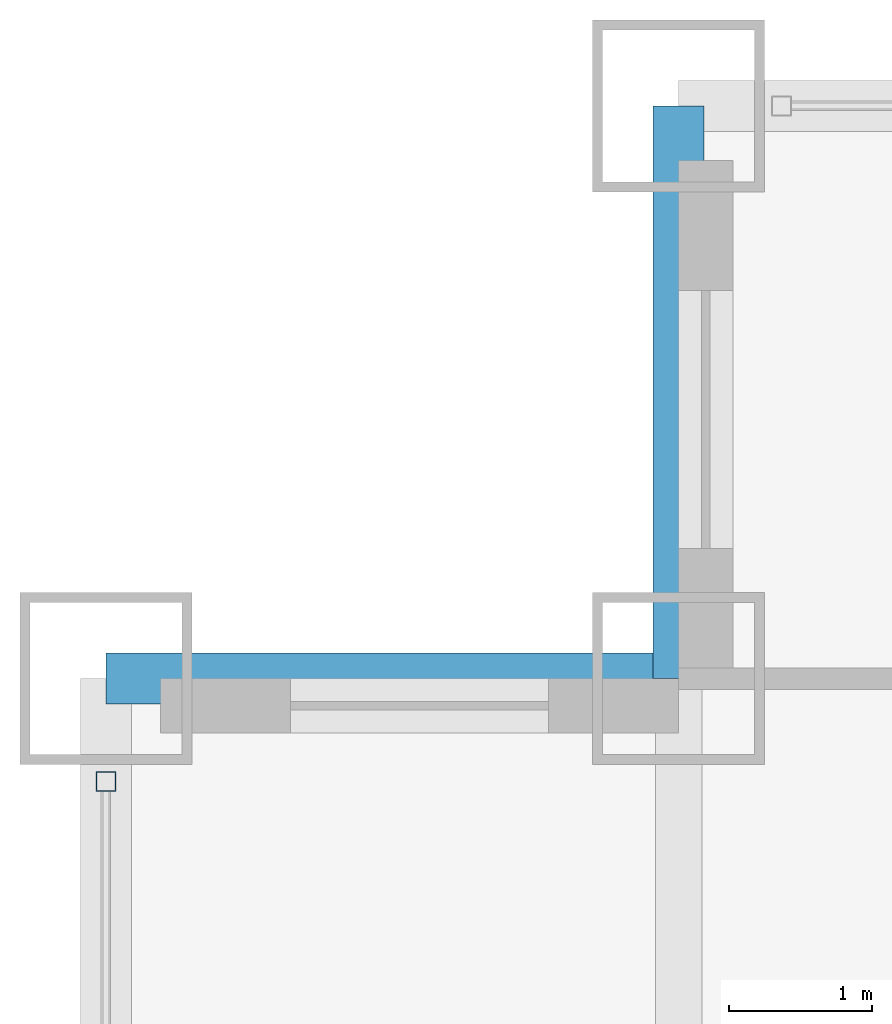
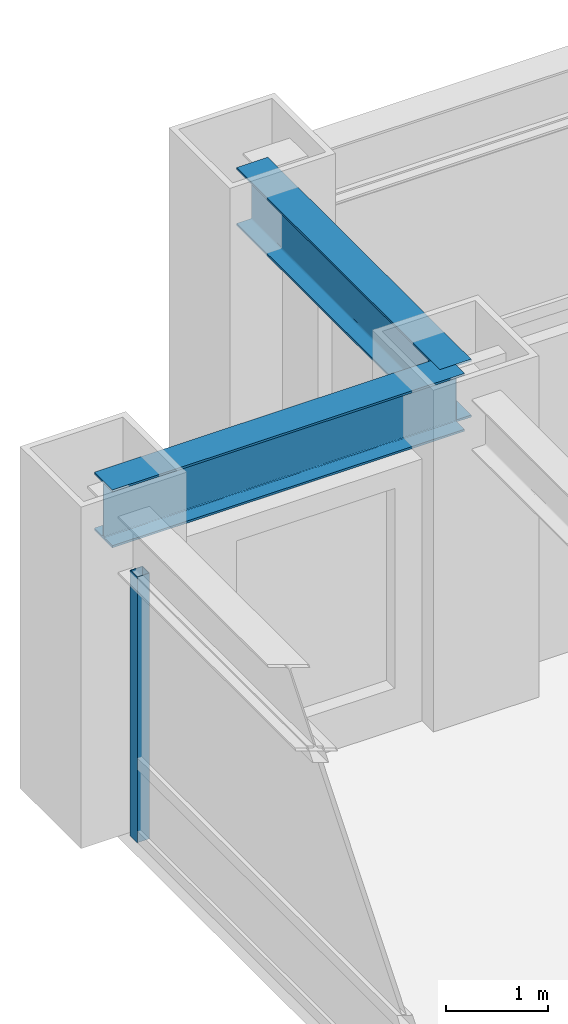
# One storey, part 10 of 28: 2 beams, 1 member, 1 element without a shape of its own.
"""IFC4 building model written with IfcOpenShell, lengths in metres."""

from ifc_helpers import new_model, si_unit, direction, frame, origin, origin_2d, place, context, subcontext, project, spatial, hollow_rectangle, i_section, extrude, source, transform, mapped, material, material_profile, profile_set, type_object, element, aggregate, save


model = new_model("IFC4")

# Units and contexts
model_context = context("Model", 3, precision=1e-05, world=origin(), true_north=direction((0.0, 1.0)))
body_context = subcontext(model_context, "Body", "Model", "MODEL_VIEW")
ifc_project = project(units=[si_unit("LENGTHUNIT", "METRE"), si_unit("AREAUNIT", "SQUARE_METRE"), si_unit("VOLUMEUNIT", "CUBIC_METRE"), si_unit("PLANEANGLEUNIT", "RADIAN"), si_unit("MASSUNIT", "GRAM", prefix="KILO")], contexts=[model_context])

# Site, building, storey
site_placement = place(None, origin())
site = spatial("IfcSite", under=ifc_project, at=site_placement, CompositionType="ELEMENT")
building_placement = place(site_placement, origin())
building = spatial("IfcBuilding", under=site, at=building_placement, Name="Khorayat Bourse Tower", CompositionType="ELEMENT")
storey_placement = place(building_placement, frame((0.0, 0.0, 116.0)))
storey = spatial("IfcBuildingStorey", under=building, at=storey_placement, Name="L26", CompositionType="ELEMENT", Elevation=116.0)

# Beams
ifc_material_1 = material(Name="Steel ASTM A992 Grade 50", Category="steel")
ifc_material_profile_1 = material_profile(ifc_material_1, i_section(OverallWidth=0.35498046875, OverallDepth=0.695068359375, WebThickness=0.015380859375, FlangeThickness=0.02490234375, FilletRadius=0.01806640625, at=origin_2d()), Name="W690X217")
ifc_profile_set_1 = profile_set([ifc_material_profile_1], Name="Steel ASTM A992 Grade 50")
beam_type = type_object("IfcBeamType", Name="BM-SPAN-690", PredefinedType="SPANDREL", material=ifc_profile_set_1)
shared_shape_1 = source(origin(), body_context, "Body", "SweptSolid", [
    extrude(i_section(OverallWidth=0.35498046875, OverallDepth=0.695068359375, WebThickness=0.015380859375, FlangeThickness=0.02490234375, FilletRadius=0.01806640625, at=origin_2d()), origin(), (0.0, 0.0, 1.0), 4.0),
])
for number, where, z_axis, x_axis, name in (
    (1, (-28.0, 28.0, 3.492431640625), (0.0, 1.0, 0.0), (-1.0, 0.0, 0.0), "L26 BM-SPAN-690 BM-L26-SPN-052"),
    (2, (-32.0, 28.0, 3.492431640625), (1.0, 0.0, 0.0), (0.0, 1.0, 0.0), "L26 BM-SPAN-690 BM-L26-SPN-053"),
):
    element("IfcBeam", number, at=place(storey_placement, frame(where, z_axis=z_axis, x_axis=x_axis)), inside=storey, type_object=beam_type, Name=name, PredefinedType="SPANDREL", context=body_context, shape_type="MappedRepresentation", body=[
        mapped(shared_shape_1, transform((0.0, 0.0, 0.0), scale=1.0)),
    ])

# Curtain wall, member
ifc_material_2 = material(Name="Aluminium EN AW-6063 T6", Category="aluminium")
curtain_wall_type = type_object("IfcCurtainWallType", Name="CW-SYS-02", PredefinedType="NOTDEFINED", material=ifc_material_2)
curtain_wall_placement = place(storey_placement, origin())
curtain_wall = element("IfcCurtainWall", 3, at=curtain_wall_placement, inside=storey, type_object=curtain_wall_type, Name="L26 Curtain Wall CW-L26-W1", PredefinedType="NOTDEFINED")
ifc_material_profile_2 = material_profile(ifc_material_2, hollow_rectangle(XDim=0.139892578125, YDim=0.139892578125, WallThickness=0.006103515625, at=origin_2d()), Name="ALU 140x140x6")
ifc_profile_set_2 = profile_set([ifc_material_profile_2], Name="Aluminium EN AW-6063 T6")
member_type = type_object("IfcMemberType", Name="CWM-VERT-140", PredefinedType="MULLION", material=ifc_profile_set_2)
shared_shape_2 = source(origin(), body_context, "Body", "SweptSolid", [
    extrude(hollow_rectangle(XDim=0.139892578125, YDim=0.139892578125, WallThickness=0.006103515625, at=origin_2d()), origin(), (0.0, 0.0, 1.0), 3.18994140625),
])
member_placement = place(storey_placement, frame((-32.0, 27.280029296875, 0.0), z_axis=(0.0, 0.0, 1.0), x_axis=(-1.0, 0.0, 0.0)))
member = element("IfcMember", 4, at=member_placement, type_object=member_type, Name="CW-L26-W1 Vertical Mullion 3", PredefinedType="MULLION", context=body_context, shape_type="MappedRepresentation", body=[
    mapped(shared_shape_2, transform((0.0, 0.0, 0.0), scale=1.0)),
])
aggregate(curtain_wall, [member])

save(model, "model.ifc")
